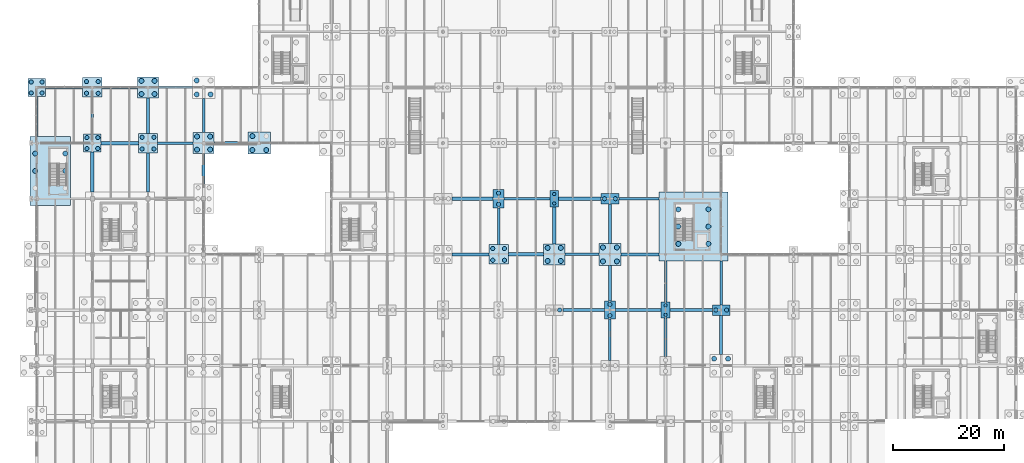
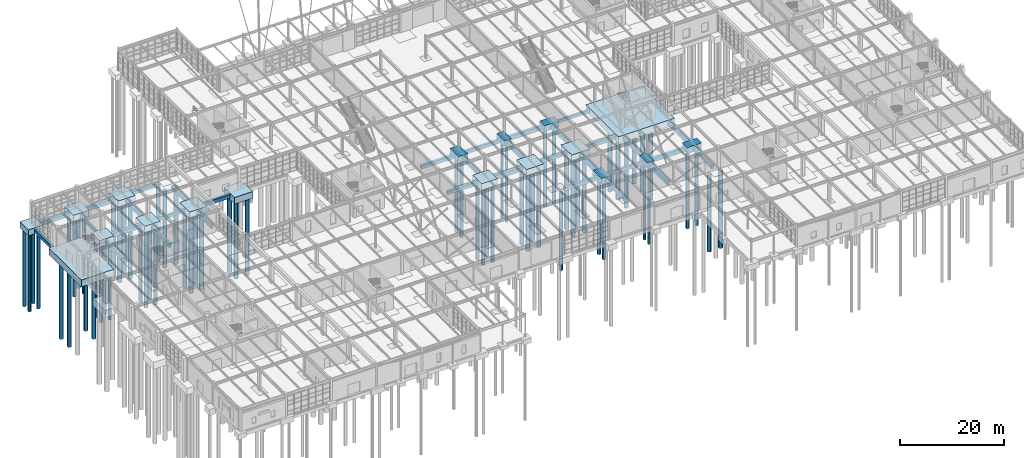
# One storey, part 4 of 145: 67 piles, 51 footings.
"""IFC4 building model written with IfcOpenShell, lengths in metres."""

import ifcopenshell
import ifcopenshell.guid

model = None  # the IFC model being written
_history = None  # IfcOwnerHistory: only IFC2X3 demands one
_inside = {}  # id of a spatial element -> (the spatial element, [elements in it])
_under = {}  # id of a project, library or spatial element -> (it, [spatial elements below it])
_declared = {}  # id of a project -> (the project, [libraries it declares])
_typed = {}  # id of a type object -> (the type object, [elements of that type])
_made_of = {}  # id of a material, layer set ... -> (it, [elements and type objects made of it])


def new_model(schema):
    """Start an empty IFC model of exactly this schema.

    Asked for "IFC4X3", IfcOpenShell would pick the latest addendum, in which some entities
    have other attributes; the version numbers below select the first issue.
    IFC2X3 requires an IfcOwnerHistory on every rooted entity: one is made here for all.
    """
    global model, _history
    if schema == "IFC4X3":
        model = ifcopenshell.file(schema_version=(4, 3, 0, 0))
    else:
        model = ifcopenshell.file(schema=schema)
    _inside.clear()
    _under.clear()
    _declared.clear()
    _typed.clear()
    _made_of.clear()
    _history = None
    if model.schema == "IFC2X3":
        org = make("IfcOrganization", Name="unknown")
        user = make(
            "IfcPersonAndOrganization",
            ThePerson=make("IfcPerson", FamilyName="unknown"),
            TheOrganization=org,
        )
        app = make(
            "IfcApplication",
            ApplicationDeveloper=org,
            Version="unknown",
            ApplicationFullName="unknown",
            ApplicationIdentifier="unknown",
        )
        _history = make(
            "IfcOwnerHistory",
            OwningUser=user,
            OwningApplication=app,
            ChangeAction="ADDED",
            CreationDate=0,
        )
    return model


def make(cls, **values):
    """One entity of the class cls with the attributes given. An attribute that is None is left unset."""
    return model.create_entity(
        cls, **{name: value for name, value in values.items() if value is not None}
    )


def rooted(cls, **values):
    """An entity with a GlobalId (a new one), such as an element, a storey or a relation."""
    return make(cls, GlobalId=ifcopenshell.guid.new(), OwnerHistory=_history, **values)


def si_unit(unit_type, name, prefix=None):
    """IfcSIUnit, for example si_unit("LENGTHUNIT", "METRE", prefix="MILLI")."""
    return make("IfcSIUnit", UnitType=unit_type, Prefix=prefix, Name=name)


def assignment(units):
    """IfcUnitAssignment: the units of a project."""
    return None if units is None else make("IfcUnitAssignment", Units=units)


def point(xyz):
    """IfcCartesianPoint."""
    return None if xyz is None else make("IfcCartesianPoint", Coordinates=xyz)


def direction(xyz):
    """IfcDirection."""
    return None if xyz is None else make("IfcDirection", DirectionRatios=xyz)


def frame(location, z_axis=None, x_axis=None):
    """IfcAxis2Placement3D, a coordinate frame: its origin and axes. An axis left out is left unset."""
    return make(
        "IfcAxis2Placement3D",
        Location=point(location),
        Axis=direction(z_axis),
        RefDirection=direction(x_axis),
    )


def frame_2d(location, x_axis=None):
    """IfcAxis2Placement2D, a coordinate frame in the plane: its origin and x axis."""
    return make(
        "IfcAxis2Placement2D", Location=point(location), RefDirection=direction(x_axis)
    )


def origin():
    """The frame at (0, 0, 0) with its axes left unset."""
    return frame((0.0, 0.0, 0.0))


def origin_2d():
    """The frame at (0, 0) in the plane with its x axis left unset."""
    return frame_2d((0.0, 0.0))


def place(relative_to, where):
    """IfcLocalPlacement: puts the frame where relative to a parent placement (None: the world)."""
    return make(
        "IfcLocalPlacement", PlacementRelTo=relative_to, RelativePlacement=where
    )


def context(
    kind, dimensions, precision=None, world=None, true_north=None, identifier=None
):
    """IfcGeometricRepresentationContext, for example the 3D "Model" context."""
    return make(
        "IfcGeometricRepresentationContext",
        ContextIdentifier=identifier,
        ContextType=kind,
        CoordinateSpaceDimension=dimensions,
        Precision=precision,
        WorldCoordinateSystem=world,
        TrueNorth=true_north,
    )


def subcontext(parent, identifier, kind, view, scale=None):
    """IfcGeometricRepresentationSubContext, for example "Body" below "Model"."""
    return make(
        "IfcGeometricRepresentationSubContext",
        ContextIdentifier=identifier,
        ContextType=kind,
        ParentContext=parent,
        TargetScale=scale,
        TargetView=view,
    )


def project(units=None, contexts=None):
    """IfcProject with its units and contexts."""
    return rooted(
        "IfcProject",
        Name="project",
        RepresentationContexts=contexts,
        UnitsInContext=assignment(units),
    )


def spatial(cls, under=None, at=None, **own):
    """A site, building, storey or space (cls), placed at a placement, below another one or the project."""
    s = rooted(cls, ObjectPlacement=at, **own)
    if under is not None:
        _under.setdefault(under.id(), (under, []))[1].append(s)
    return s


def profile(cls, at=None, kind="AREA", **sizes):
    """A parametric profile (cls). Its sizes go by their IFC names, for example OverallWidth=200.0."""
    return make(cls, ProfileType=kind, Position=at, **sizes)


def rectangle(**sizes):
    """IfcRectangleProfileDef."""
    return profile("IfcRectangleProfileDef", **sizes)


def circle(**sizes):
    """IfcCircleProfileDef."""
    return profile("IfcCircleProfileDef", **sizes)


def extrude(swept, where, along, depth):
    """IfcExtrudedAreaSolid: the profile swept, set in the frame where, extruded along a direction by depth."""
    return make(
        "IfcExtrudedAreaSolid",
        SweptArea=swept,
        Position=where,
        ExtrudedDirection=direction(along),
        Depth=depth,
    )


def shape(context_of_items, identifier, shape_type, items):
    """IfcShapeRepresentation: the items that make up one representation, for example the "Body"."""
    return make(
        "IfcShapeRepresentation",
        ContextOfItems=context_of_items,
        RepresentationIdentifier=identifier,
        RepresentationType=shape_type,
        Items=items,
    )


def material(Name=None, Category=None):
    """IfcMaterial."""
    return make("IfcMaterial", Name=Name, Category=Category)


def material_profile(
    of_material, cross_section, Name=None, Category=None, Priority=None
):
    """IfcMaterialProfile: a cross section and its material."""
    return make(
        "IfcMaterialProfile",
        Name=Name,
        Material=of_material,
        Profile=cross_section,
        Priority=Priority,
        Category=Category,
    )


def profile_set(profiles, Name=None, composite=None):
    """IfcMaterialProfileSet."""
    return make(
        "IfcMaterialProfileSet",
        Name=Name,
        MaterialProfiles=profiles,
        CompositeProfile=composite,
    )


def made_of(thing, what):
    """Note that an element or type object is made of a material, layer set ...; save() writes the relation."""
    if what is not None:
        _made_of.setdefault(what.id(), (what, []))[1].append(thing)
    return thing


def type_object(cls, material=None, **own):
    """A type object (cls), such as IfcWallType, which elements share."""
    return made_of(rooted(cls, **own), material)


def element(
    cls,
    number,
    at=None,
    inside=None,
    cuts=None,
    type_object=None,
    material=None,
    context=None,
    identifier="Body",
    shape_type=None,
    held_by="IfcProductDefinitionShape",
    body=None,
    shapes=None,
    **own,
):
    """One element of the class cls, such as IfcWall. Its Tag is "e" and its number.

    at: its placement. inside: the storey or other place that contains it. cuts: it is an
    opening in that element (IfcRelVoidsElement). A single representation is given by context,
    identifier, shape_type and body (its items); several are given by shapes. held_by: the class
    of the entity that holds the representations. save() writes the other relations.
    """
    e = rooted(cls, Tag="e%d" % number, ObjectPlacement=at, **own)
    if body is not None:
        shapes = [shape(context, identifier, shape_type, body)]
    if shapes is not None:
        e.Representation = make(held_by, Representations=shapes)
    if inside is not None:
        _inside.setdefault(inside.id(), (inside, []))[1].append(e)
    if cuts is not None:
        rooted(
            "IfcRelVoidsElement", RelatingBuildingElement=cuts, RelatedOpeningElement=e
        )
    if type_object is not None:
        _typed.setdefault(type_object.id(), (type_object, []))[1].append(e)
    return made_of(e, material)


def aggregate(whole, parts):
    """IfcRelAggregates: a whole, such as a stair, and the parts it consists of."""
    return rooted("IfcRelAggregates", RelatingObject=whole, RelatedObjects=parts)


def save(model, path):
    """Write the relations noted so far, then the file.

    IfcRelAggregates (storeys below a building ...), IfcRelContainedInSpatialStructure (elements
    in a storey), IfcRelDefinesByType, IfcRelAssociatesMaterial and IfcRelDeclares: one each for
    every whole, place, type object, material and project.
    """
    for whole, parts in _under.values():
        aggregate(whole, parts)
    for where, things in _inside.values():
        rooted(
            "IfcRelContainedInSpatialStructure",
            RelatedElements=things,
            RelatingStructure=where,
        )
    for kind, things in _typed.values():
        rooted("IfcRelDefinesByType", RelatedObjects=things, RelatingType=kind)
    for what, things in _made_of.values():
        rooted("IfcRelAssociatesMaterial", RelatedObjects=things, RelatingMaterial=what)
    for by, libraries in _declared.values():
        rooted("IfcRelDeclares", RelatingContext=by, RelatedDefinitions=libraries)
    model.write(path)


model = new_model("IFC4")

# Units and contexts
model_context = context("Model", 3, precision=1e-05, world=origin(), true_north=direction((0.0, 1.0)))
body_context = subcontext(model_context, "Body", "Model", "MODEL_VIEW")
ifc_project = project(units=[si_unit("LENGTHUNIT", "METRE"), si_unit("AREAUNIT", "SQUARE_METRE"), si_unit("VOLUMEUNIT", "CUBIC_METRE"), si_unit("PLANEANGLEUNIT", "RADIAN"), si_unit("MASSUNIT", "GRAM", prefix="KILO"), si_unit("THERMODYNAMICTEMPERATUREUNIT", "KELVIN"), si_unit("POWERUNIT", "WATT")], contexts=[model_context])

# Site, building, storey
site_placement = place(None, origin())
site = spatial("IfcSite", under=ifc_project, at=site_placement, CompositionType="ELEMENT")
building_placement = place(site_placement, origin())
building = spatial("IfcBuilding", under=site, at=building_placement, Name="Korenveer Ferry Terminal", CompositionType="ELEMENT")
storey_placement = place(building_placement, origin())
storey = spatial("IfcBuildingStorey", under=building, at=storey_placement, Name="L00", CompositionType="ELEMENT", Elevation=0.0)

# Footings
ifc_material_1 = material(Name="Concrete C40/50", Category="concrete")
footing_type_1 = type_object("IfcFootingType", Name="STR-GB-01", PredefinedType="FOOTING_BEAM", material=ifc_material_1)
footing_1_placement = place(storey_placement, frame((108.10009765625, 40.0, -1.14990234375), z_axis=(0.0, 0.0, 1.0), x_axis=(1.0, 0.0, 0.0)))
element("IfcFooting", 1, at=footing_1_placement, inside=storey, type_object=footing_type_1, Name="Ground tie beam 64", PredefinedType="FOOTING_BEAM", context=body_context, shape_type="SweptSolid", body=[
    extrude(rectangle(XDim=8.199951171875, YDim=0.5, at=origin_2d()), origin(), (0.0, 0.0, 1.0), 0.800048828125),
])
footing_2_placement = place(storey_placement, frame((77.925048828125, 50.0, -1.14990234375), z_axis=(0.0, 0.0, 1.0), x_axis=(1.0, 0.0, 0.0)))
element("IfcFooting", 2, at=footing_2_placement, inside=storey, type_object=footing_type_1, Name="Ground tie beam 76", PredefinedType="FOOTING_BEAM", context=body_context, shape_type="SweptSolid", body=[
    extrude(rectangle(XDim=6.64990234375, YDim=0.5, at=origin_2d()), origin(), (0.0, 0.0, 1.0), 0.800048828125),
])
footing_3_placement = place(storey_placement, frame((88.10009765625, 60.0, -1.14990234375), z_axis=(0.0, 0.0, 1.0), x_axis=(1.0, 0.0, 0.0)))
element("IfcFooting", 3, at=footing_3_placement, inside=storey, type_object=footing_type_1, Name="Ground tie beam 88", PredefinedType="FOOTING_BEAM", context=body_context, shape_type="SweptSolid", body=[
    extrude(rectangle(XDim=8.199951171875, YDim=0.5, at=origin_2d()), origin(), (0.0, 0.0, 1.0), 0.800048828125),
])
footing_4_placement = place(storey_placement, frame((4.925048828125, 80.0, -1.14990234375), z_axis=(0.0, 0.0, 1.0), x_axis=(1.0, 0.0, 0.0)))
element("IfcFooting", 4, at=footing_4_placement, inside=storey, type_object=footing_type_1, Name="Ground tie beam 108", PredefinedType="FOOTING_BEAM", context=body_context, shape_type="SweptSolid", body=[
    extrude(rectangle(XDim=6.64990234375, YDim=0.5, at=origin_2d()), origin(), (0.0, 0.0, 1.0), 0.800048828125),
])
footing_5_placement = place(storey_placement, frame((0.0, 74.800048828125, -1.14990234375), z_axis=(0.0, 0.0, 1.0), x_axis=(1.0, 0.0, 0.0)))
element("IfcFooting", 5, at=footing_5_placement, inside=storey, type_object=footing_type_1, Name="Ground tie beam 156", PredefinedType="FOOTING_BEAM", context=body_context, shape_type="SweptSolid", body=[
    extrude(rectangle(XDim=0.5, YDim=7.199951171875, at=origin_2d()), origin(), (0.0, 0.0, 1.0), 0.800048828125),
])
footing_6_placement = place(storey_placement, frame((20.0, 74.925048828125, -1.14990234375), z_axis=(0.0, 0.0, 1.0), x_axis=(1.0, 0.0, 0.0)))
element("IfcFooting", 6, at=footing_6_placement, inside=storey, type_object=footing_type_1, Name="Ground tie beam 168", PredefinedType="FOOTING_BEAM", context=body_context, shape_type="SweptSolid", body=[
    extrude(rectangle(XDim=0.5, YDim=6.35009765625, at=origin_2d()), origin(), (0.0, 0.0, 1.0), 0.800048828125),
])
footing_7_placement = place(storey_placement, frame((30.0, 74.949951171875, -1.14990234375), z_axis=(0.0, 0.0, 1.0), x_axis=(1.0, 0.0, 0.0)))
element("IfcFooting", 7, at=footing_7_placement, inside=storey, type_object=footing_type_1, Name="Ground tie beam 176", PredefinedType="FOOTING_BEAM", context=body_context, shape_type="SweptSolid", body=[
    extrude(rectangle(XDim=0.5, YDim=6.10009765625, at=origin_2d()), origin(), (0.0, 0.0, 1.0), 0.800048828125),
])
footing_8_placement = place(storey_placement, frame((103.0, 55.52490234375, -1.14990234375), z_axis=(0.0, 0.0, 1.0), x_axis=(1.0, 0.0, 0.0)))
element("IfcFooting", 8, at=footing_8_placement, inside=storey, type_object=footing_type_1, Name="Ground tie beam 236", PredefinedType="FOOTING_BEAM", context=body_context, shape_type="SweptSolid", body=[
    extrude(rectangle(XDim=0.5, YDim=7.050048828125, at=origin_2d()), origin(), (0.0, 0.0, 1.0), 0.800048828125),
])
footing_9_placement = place(storey_placement, frame((123.0, 44.875, -1.14990234375), z_axis=(0.0, 0.0, 1.0), x_axis=(1.0, 0.0, 0.0)))
element("IfcFooting", 9, at=footing_9_placement, inside=storey, type_object=footing_type_1, Name="Ground tie beam 256", PredefinedType="FOOTING_BEAM", context=body_context, shape_type="SweptSolid", body=[
    extrude(rectangle(XDim=0.5, YDim=7.85009765625, at=origin_2d()), origin(), (0.0, 0.0, 1.0), 0.800048828125),
])
footing_type_2 = type_object("IfcFootingType", Name="STR-GB-02", PredefinedType="FOOTING_BEAM", material=ifc_material_1)
footing_10_placement = place(storey_placement, frame((117.60009765625, 40.0, -1.2998046875), z_axis=(0.0, 0.0, 1.0), x_axis=(1.0, 0.0, 0.0)))
element("IfcFooting", 10, at=footing_10_placement, inside=storey, type_object=footing_type_2, Name="Ground tie beam 65", PredefinedType="FOOTING_BEAM", context=body_context, shape_type="SweptSolid", body=[
    extrude(rectangle(XDim=7.60009765625, YDim=0.60009765625, at=origin_2d()), origin(), (0.0, 0.0, 1.0), 0.949951171875),
])
footing_11_placement = place(storey_placement, frame((87.925048828125, 50.0, -1.2998046875), z_axis=(0.0, 0.0, 1.0), x_axis=(1.0, 0.0, 0.0)))
element("IfcFooting", 11, at=footing_11_placement, inside=storey, type_object=footing_type_2, Name="Ground tie beam 77", PredefinedType="FOOTING_BEAM", context=body_context, shape_type="SweptSolid", body=[
    extrude(rectangle(XDim=6.35009765625, YDim=0.60009765625, at=origin_2d()), origin(), (0.0, 0.0, 1.0), 0.949951171875),
])
footing_12_placement = place(storey_placement, frame((97.60009765625, 60.0, -1.2998046875), z_axis=(0.0, 0.0, 1.0), x_axis=(1.0, 0.0, 0.0)))
element("IfcFooting", 12, at=footing_12_placement, inside=storey, type_object=footing_type_2, Name="Ground tie beam 89", PredefinedType="FOOTING_BEAM", context=body_context, shape_type="SweptSolid", body=[
    extrude(rectangle(XDim=7.60009765625, YDim=0.60009765625, at=origin_2d()), origin(), (0.0, 0.0, 1.0), 0.949951171875),
])
footing_13_placement = place(storey_placement, frame((14.925048828125, 70.0, -1.2998046875), z_axis=(0.0, 0.0, 1.0), x_axis=(1.0, 0.0, 0.0)))
element("IfcFooting", 13, at=footing_13_placement, inside=storey, type_object=footing_type_2, Name="Ground tie beam 93", PredefinedType="FOOTING_BEAM", context=body_context, shape_type="SweptSolid", body=[
    extrude(rectangle(XDim=6.64990234375, YDim=0.60009765625, at=origin_2d()), origin(), (0.0, 0.0, 1.0), 0.949951171875),
])
footing_14_placement = place(storey_placement, frame((14.925048828125, 80.0, -1.2998046875), z_axis=(0.0, 0.0, 1.0), x_axis=(1.0, 0.0, 0.0)))
element("IfcFooting", 14, at=footing_14_placement, inside=storey, type_object=footing_type_2, Name="Ground tie beam 109", PredefinedType="FOOTING_BEAM", context=body_context, shape_type="SweptSolid", body=[
    extrude(rectangle(XDim=6.35009765625, YDim=0.60009765625, at=origin_2d()), origin(), (0.0, 0.0, 1.0), 0.949951171875),
])
footing_15_placement = place(storey_placement, frame((10.0, 64.800048828125, -1.2998046875), z_axis=(0.0, 0.0, 1.0), x_axis=(1.0, 0.0, 0.0)))
element("IfcFooting", 15, at=footing_15_placement, inside=storey, type_object=footing_type_2, Name="Ground tie beam 161", PredefinedType="FOOTING_BEAM", context=body_context, shape_type="SweptSolid", body=[
    extrude(rectangle(XDim=0.60009765625, YDim=7.199951171875, at=origin_2d()), origin(), (0.0, 0.0, 1.0), 0.949951171875),
])
footing_16_placement = place(storey_placement, frame((113.0, 35.10009765625, -1.2998046875), z_axis=(0.0, 0.0, 1.0), x_axis=(1.0, 0.0, 0.0)))
element("IfcFooting", 16, at=footing_16_placement, inside=storey, type_object=footing_type_2, Name="Ground tie beam 245", PredefinedType="FOOTING_BEAM", context=body_context, shape_type="SweptSolid", body=[
    extrude(rectangle(XDim=0.60009765625, YDim=6.89990234375, at=origin_2d()), origin(), (0.0, 0.0, 1.0), 0.949951171875),
])
footing_type_3 = type_object("IfcFootingType", Name="STR-GB-03", PredefinedType="FOOTING_BEAM", material=ifc_material_1)
footing_17_placement = place(storey_placement, frame((97.949951171875, 50.0, -1.0498046875), z_axis=(0.0, 0.0, 1.0), x_axis=(1.0, 0.0, 0.0)))
element("IfcFooting", 17, at=footing_17_placement, inside=storey, type_object=footing_type_3, Name="Ground tie beam 78", PredefinedType="FOOTING_BEAM", context=body_context, shape_type="SweptSolid", body=[
    extrude(rectangle(XDim=6.10009765625, YDim=0.449951171875, at=origin_2d()), origin(), (0.0, 0.0, 1.0), 0.699951171875),
])
footing_18_placement = place(storey_placement, frame((108.199951171875, 60.0, -1.0498046875), z_axis=(0.0, 0.0, 1.0), x_axis=(1.0, 0.0, 0.0)))
element("IfcFooting", 18, at=footing_18_placement, inside=storey, type_object=footing_type_3, Name="Ground tie beam 90", PredefinedType="FOOTING_BEAM", context=body_context, shape_type="SweptSolid", body=[
    extrude(rectangle(XDim=7.199951171875, YDim=0.449951171875, at=origin_2d()), origin(), (0.0, 0.0, 1.0), 0.699951171875),
])
footing_19_placement = place(storey_placement, frame((24.925048828125, 70.0, -1.0498046875), z_axis=(0.0, 0.0, 1.0), x_axis=(1.0, 0.0, 0.0)))
element("IfcFooting", 19, at=footing_19_placement, inside=storey, type_object=footing_type_3, Name="Ground tie beam 94", PredefinedType="FOOTING_BEAM", context=body_context, shape_type="SweptSolid", body=[
    extrude(rectangle(XDim=6.35009765625, YDim=0.449951171875, at=origin_2d()), origin(), (0.0, 0.0, 1.0), 0.699951171875),
])
footing_20_placement = place(storey_placement, frame((24.949951171875, 80.0, -1.0498046875), z_axis=(0.0, 0.0, 1.0), x_axis=(1.0, 0.0, 0.0)))
element("IfcFooting", 20, at=footing_20_placement, inside=storey, type_object=footing_type_3, Name="Ground tie beam 110", PredefinedType="FOOTING_BEAM", context=body_context, shape_type="SweptSolid", body=[
    extrude(rectangle(XDim=6.10009765625, YDim=0.449951171875, at=origin_2d()), origin(), (0.0, 0.0, 1.0), 0.699951171875),
])
footing_21_placement = place(storey_placement, frame((10.0, 74.925048828125, -1.0498046875), z_axis=(0.0, 0.0, 1.0), x_axis=(1.0, 0.0, 0.0)))
element("IfcFooting", 21, at=footing_21_placement, inside=storey, type_object=footing_type_3, Name="Ground tie beam 162", PredefinedType="FOOTING_BEAM", context=body_context, shape_type="SweptSolid", body=[
    extrude(rectangle(XDim=0.449951171875, YDim=6.64990234375, at=origin_2d()), origin(), (0.0, 0.0, 1.0), 0.699951171875),
])
footing_22_placement = place(storey_placement, frame((83.0, 55.050048828125, -1.0498046875), z_axis=(0.0, 0.0, 1.0), x_axis=(1.0, 0.0, 0.0)))
element("IfcFooting", 22, at=footing_22_placement, inside=storey, type_object=footing_type_3, Name="Ground tie beam 218", PredefinedType="FOOTING_BEAM", context=body_context, shape_type="SweptSolid", body=[
    extrude(rectangle(XDim=0.449951171875, YDim=6.60009765625, at=origin_2d()), origin(), (0.0, 0.0, 1.0), 0.699951171875),
])
footing_23_placement = place(storey_placement, frame((103.0, 34.64990234375, -1.0498046875), z_axis=(0.0, 0.0, 1.0), x_axis=(1.0, 0.0, 0.0)))
element("IfcFooting", 23, at=footing_23_placement, inside=storey, type_object=footing_type_3, Name="Ground tie beam 234", PredefinedType="FOOTING_BEAM", context=body_context, shape_type="SweptSolid", body=[
    extrude(rectangle(XDim=0.449951171875, YDim=7.39990234375, at=origin_2d()), origin(), (0.0, 0.0, 1.0), 0.699951171875),
])
footing_24_placement = place(storey_placement, frame((113.0, 45.125, -1.0498046875), z_axis=(0.0, 0.0, 1.0), x_axis=(1.0, 0.0, 0.0)))
element("IfcFooting", 24, at=footing_24_placement, inside=storey, type_object=footing_type_3, Name="Ground tie beam 246", PredefinedType="FOOTING_BEAM", context=body_context, shape_type="SweptSolid", body=[
    extrude(rectangle(XDim=0.449951171875, YDim=7.35009765625, at=origin_2d()), origin(), (0.0, 0.0, 1.0), 0.699951171875),
])
footing_type_4 = type_object("IfcFootingType", Name="STR-GB-04", PredefinedType="FOOTING_BEAM", material=ifc_material_1)
footing_25_placement = place(storey_placement, frame((98.300048828125, 40.0, -1.199951171875), z_axis=(0.0, 0.0, 1.0), x_axis=(1.0, 0.0, 0.0)))
element("IfcFooting", 25, at=footing_25_placement, inside=storey, type_object=footing_type_4, Name="Ground tie beam 63", PredefinedType="FOOTING_BEAM", context=body_context, shape_type="SweptSolid", body=[
    extrude(rectangle(XDim=7.39990234375, YDim=0.550048828125, at=origin_2d()), origin(), (0.0, 0.0, 1.0), 0.85009765625),
])
footing_26_placement = place(storey_placement, frame((108.39990234375, 50.0, -1.199951171875), z_axis=(0.0, 0.0, 1.0), x_axis=(1.0, 0.0, 0.0)))
element("IfcFooting", 26, at=footing_26_placement, inside=storey, type_object=footing_type_4, Name="Ground tie beam 79", PredefinedType="FOOTING_BEAM", context=body_context, shape_type="SweptSolid", body=[
    extrude(rectangle(XDim=6.800048828125, YDim=0.550048828125, at=origin_2d()), origin(), (0.0, 0.0, 1.0), 0.85009765625),
])
footing_27_placement = place(storey_placement, frame((78.300048828125, 60.0, -1.199951171875), z_axis=(0.0, 0.0, 1.0), x_axis=(1.0, 0.0, 0.0)))
element("IfcFooting", 27, at=footing_27_placement, inside=storey, type_object=footing_type_4, Name="Ground tie beam 87", PredefinedType="FOOTING_BEAM", context=body_context, shape_type="SweptSolid", body=[
    extrude(rectangle(XDim=7.39990234375, YDim=0.550048828125, at=origin_2d()), origin(), (0.0, 0.0, 1.0), 0.85009765625),
])
footing_28_placement = place(storey_placement, frame((34.949951171875, 70.0, -1.199951171875), z_axis=(0.0, 0.0, 1.0), x_axis=(1.0, 0.0, 0.0)))
element("IfcFooting", 28, at=footing_28_placement, inside=storey, type_object=footing_type_4, Name="Ground tie beam 95", PredefinedType="FOOTING_BEAM", context=body_context, shape_type="SweptSolid", body=[
    extrude(rectangle(XDim=6.10009765625, YDim=0.550048828125, at=origin_2d()), origin(), (0.0, 0.0, 1.0), 0.85009765625),
])
footing_29_placement = place(storey_placement, frame((20.0, 64.72509765625, -1.199951171875), z_axis=(0.0, 0.0, 1.0), x_axis=(1.0, 0.0, 0.0)))
element("IfcFooting", 29, at=footing_29_placement, inside=storey, type_object=footing_type_4, Name="Ground tie beam 167", PredefinedType="FOOTING_BEAM", context=body_context, shape_type="SweptSolid", body=[
    extrude(rectangle(XDim=0.550048828125, YDim=7.050048828125, at=origin_2d()), origin(), (0.0, 0.0, 1.0), 0.85009765625),
])
footing_30_placement = place(storey_placement, frame((30.0, 65.375, -1.199951171875), z_axis=(0.0, 0.0, 1.0), x_axis=(1.0, 0.0, 0.0)))
element("IfcFooting", 30, at=footing_30_placement, inside=storey, type_object=footing_type_4, Name="Ground tie beam 175", PredefinedType="FOOTING_BEAM", context=body_context, shape_type="SweptSolid", body=[
    extrude(rectangle(XDim=0.550048828125, YDim=5.449951171875, at=origin_2d()), origin(), (0.0, 0.0, 1.0), 0.85009765625),
])
footing_31_placement = place(storey_placement, frame((93.0, 55.22509765625, -1.199951171875), z_axis=(0.0, 0.0, 1.0), x_axis=(1.0, 0.0, 0.0)))
element("IfcFooting", 31, at=footing_31_placement, inside=storey, type_object=footing_type_4, Name="Ground tie beam 227", PredefinedType="FOOTING_BEAM", context=body_context, shape_type="SweptSolid", body=[
    extrude(rectangle(XDim=0.550048828125, YDim=6.64990234375, at=origin_2d()), origin(), (0.0, 0.0, 1.0), 0.85009765625),
])
footing_32_placement = place(storey_placement, frame((103.0, 44.824951171875, -1.199951171875), z_axis=(0.0, 0.0, 1.0), x_axis=(1.0, 0.0, 0.0)))
element("IfcFooting", 32, at=footing_32_placement, inside=storey, type_object=footing_type_4, Name="Ground tie beam 235", PredefinedType="FOOTING_BEAM", context=body_context, shape_type="SweptSolid", body=[
    extrude(rectangle(XDim=0.550048828125, YDim=6.35009765625, at=origin_2d()), origin(), (0.0, 0.0, 1.0), 0.85009765625),
])
footing_33_placement = place(storey_placement, frame((123.0, 35.52490234375, -1.199951171875), z_axis=(0.0, 0.0, 1.0), x_axis=(1.0, 0.0, 0.0)))
element("IfcFooting", 33, at=footing_33_placement, inside=storey, type_object=footing_type_4, Name="Ground tie beam 255", PredefinedType="FOOTING_BEAM", context=body_context, shape_type="SweptSolid", body=[
    extrude(rectangle(XDim=0.550048828125, YDim=7.050048828125, at=origin_2d()), origin(), (0.0, 0.0, 1.0), 0.85009765625),
])
ifc_material_2 = material(Name="Concrete C45/55", Category="concrete")
footing_type_5 = type_object("IfcFootingType", Name="STR-PC-03", PredefinedType="PILE_CAP", material=ifc_material_2)
for number, where, z_axis, x_axis, name in (
    (34, (93.0, 60.0, -1.2998046875), (0.0, 0.0, 1.0), (1.0, 0.0, 0.0), "Pile cap PC-03 at (93,60)"),
    (35, (113.0, 40.0, -1.2998046875), (0.0, 0.0, 1.0), (1.0, 0.0, 0.0), "Pile cap PC-03 at (113,40)"),
):
    element("IfcFooting", number, at=place(storey_placement, frame(where, z_axis=z_axis, x_axis=x_axis)), inside=storey, type_object=footing_type_5, Name=name, PredefinedType="PILE_CAP", context=body_context, shape_type="SweptSolid", body=[
        extrude(rectangle(XDim=1.60009765625, YDim=2.89990234375, at=origin_2d()), origin(), (0.0, 0.0, 1.0), 1.300048828125),
    ])
footing_type_6 = type_object("IfcFootingType", Name="STR-PC-04", PredefinedType="PILE_CAP", material=ifc_material_2)
for number, where, z_axis, x_axis, name in (
    (36, (103.0, 60.0, -1.39990234375), (0.0, 0.0, 1.0), (1.0, 0.0, 0.0), "Pile cap PC-04 at (103,60)"),
    (37, (123.0, 40.0, -1.39990234375), (0.0, 0.0, 1.0), (1.0, 0.0, 0.0), "Pile cap PC-04 at (123,40)"),
):
    element("IfcFooting", number, at=place(storey_placement, frame(where, z_axis=z_axis, x_axis=x_axis)), inside=storey, type_object=footing_type_6, Name=name, PredefinedType="PILE_CAP", context=body_context, shape_type="SweptSolid", body=[
        extrude(rectangle(XDim=3.199951171875, YDim=1.89990234375, at=origin_2d()), origin(), (0.0, 0.0, 1.0), 1.39990234375),
    ])
footing_type_7 = type_object("IfcFootingType", Name="STR-PC-05", PredefinedType="PILE_CAP", material=ifc_material_2)
for number, where, z_axis, x_axis, name in (
    (38, (83.0, 60.0, -1.39990234375), (0.0, 0.0, 1.0), (1.0, 0.0, 0.0), "Pile cap PC-05 at (83,60)"),
    (39, (103.0, 40.0, -1.39990234375), (0.0, 0.0, 1.0), (1.0, 0.0, 0.0), "Pile cap PC-05 at (103,40)"),
):
    element("IfcFooting", number, at=place(storey_placement, frame(where, z_axis=z_axis, x_axis=x_axis)), inside=storey, type_object=footing_type_7, Name=name, PredefinedType="PILE_CAP", context=body_context, shape_type="SweptSolid", body=[
        extrude(rectangle(XDim=2.0, YDim=3.300048828125, at=origin_2d()), origin(), (0.0, 0.0, 1.0), 1.39990234375),
    ])
footing_type_8 = type_object("IfcFootingType", Name="STR-PC-06", PredefinedType="PILE_CAP", material=ifc_material_2)
for number, where, z_axis, x_axis, name in (
    (40, (0.0, 80.0, -1.39990234375), (0.0, 0.0, 1.0), (1.0, 0.0, 0.0), "Pile cap PC-06 at (0,80)"),
    (41, (10.0, 70.0, -1.39990234375), (0.0, 0.0, 1.0), (1.0, 0.0, 0.0), "Pile cap PC-06 at (10,70)"),
):
    element("IfcFooting", number, at=place(storey_placement, frame(where, z_axis=z_axis, x_axis=x_axis)), inside=storey, type_object=footing_type_8, Name=name, PredefinedType="PILE_CAP", context=body_context, shape_type="SweptSolid", body=[
        extrude(rectangle(XDim=3.199951171875, YDim=3.199951171875, at=origin_2d()), origin(), (0.0, 0.0, 1.0), 1.39990234375),
    ])
footing_type_9 = type_object("IfcFootingType", Name="STR-PC-07", PredefinedType="PILE_CAP", material=ifc_material_2)
for number, where, z_axis, x_axis, name in (
    (42, (10.0, 80.0, -1.4501953125), (0.0, 0.0, 1.0), (1.0, 0.0, 0.0), "Pile cap PC-07 at (10,80)"),
    (43, (20.0, 70.0, -1.4501953125), (0.0, 0.0, 1.0), (1.0, 0.0, 0.0), "Pile cap PC-07 at (20,70)"),
    (44, (83.0, 50.0, -1.4501953125), (0.0, 0.0, 1.0), (1.0, 0.0, 0.0), "Pile cap PC-07 at (83,50)"),
):
    element("IfcFooting", number, at=place(storey_placement, frame(where, z_axis=z_axis, x_axis=x_axis)), inside=storey, type_object=footing_type_9, Name=name, PredefinedType="PILE_CAP", context=body_context, shape_type="SweptSolid", body=[
        extrude(rectangle(XDim=3.5, YDim=3.5, at=origin_2d()), origin(), (0.0, 0.0, 1.0), 1.449951171875),
    ])
footing_type_10 = type_object("IfcFootingType", Name="STR-PC-08", PredefinedType="PILE_CAP", material=ifc_material_2)
for number, where, z_axis, x_axis, name in (
    (45, (20.0, 80.0, -1.5), (0.0, 0.0, 1.0), (1.0, 0.0, 0.0), "Pile cap PC-08 at (20,80)"),
    (46, (30.0, 70.0, -1.5), (0.0, 0.0, 1.0), (1.0, 0.0, 0.0), "Pile cap PC-08 at (30,70)"),
    (47, (93.0, 50.0, -1.5), (0.0, 0.0, 1.0), (1.0, 0.0, 0.0), "Pile cap PC-08 at (93,50)"),
):
    element("IfcFooting", number, at=place(storey_placement, frame(where, z_axis=z_axis, x_axis=x_axis)), inside=storey, type_object=footing_type_10, Name=name, PredefinedType="PILE_CAP", context=body_context, shape_type="SweptSolid", body=[
        extrude(rectangle(XDim=3.800048828125, YDim=3.800048828125, at=origin_2d()), origin(), (0.0, 0.0, 1.0), 1.5),
    ])
footing_type_11 = type_object("IfcFootingType", Name="STR-PC-09", PredefinedType="PILE_CAP", material=ifc_material_2)
for number, where, z_axis, x_axis, name in (
    (48, (40.0, 70.0, -1.5498046875), (0.0, 0.0, 1.0), (1.0, 0.0, 0.0), "Pile cap PC-09 at (40,70)"),
    (49, (103.0, 50.0, -1.5498046875), (0.0, 0.0, 1.0), (1.0, 0.0, 0.0), "Pile cap PC-09 at (103,50)"),
):
    element("IfcFooting", number, at=place(storey_placement, frame(where, z_axis=z_axis, x_axis=x_axis)), inside=storey, type_object=footing_type_11, Name=name, PredefinedType="PILE_CAP", context=body_context, shape_type="SweptSolid", body=[
        extrude(rectangle(XDim=4.0, YDim=4.0, at=origin_2d()), origin(), (0.0, 0.0, 1.0), 1.550048828125),
    ])
footing_type_12 = type_object("IfcFootingType", Name="STR-PC-MAT-K11", PredefinedType="PILE_CAP", material=ifc_material_2)
footing_34_placement = place(storey_placement, frame((2.429931640625, 65.0, -1.60009765625), z_axis=(0.0, 0.0, 1.0), x_axis=(1.0, 0.0, 0.0)))
element("IfcFooting", 50, at=footing_34_placement, inside=storey, type_object=footing_type_12, Name="Core pile cap mat K11", PredefinedType="PILE_CAP", context=body_context, shape_type="SweptSolid", body=[
    extrude(rectangle(XDim=7.260009765625, YDim=12.39990234375, at=origin_2d()), origin(), (0.0, 0.0, 1.0), 1.60009765625),
])
footing_type_13 = type_object("IfcFootingType", Name="STR-PC-MAT-K6", PredefinedType="PILE_CAP", material=ifc_material_2)
footing_35_placement = place(storey_placement, frame((118.0, 55.0, -1.60009765625), z_axis=(0.0, 0.0, 1.0), x_axis=(1.0, 0.0, 0.0)))
element("IfcFooting", 51, at=footing_35_placement, inside=storey, type_object=footing_type_13, Name="Core pile cap mat K6", PredefinedType="PILE_CAP", context=body_context, shape_type="SweptSolid", body=[
    extrude(rectangle(XDim=12.39990234375, YDim=12.39990234375, at=origin_2d()), origin(), (0.0, 0.0, 1.0), 1.60009765625),
])

# Piles
ifc_material_profile_1 = material_profile(ifc_material_1, circle(Radius=0.300048828125, at=origin_2d()), Name="PILE D600")
ifc_profile_set_1 = profile_set([ifc_material_profile_1], Name="Concrete C40/50")
pile_type_1 = type_object("IfcPileType", Name="STR-PL-D600", PredefinedType="DRIVEN", material=ifc_profile_set_1)
for number, where, z_axis, x_axis, name in (
    (52, (93.0, 59.14990234375, -1.199951171875), (0.0, 0.0, -1.0), (1.0, 0.0, 0.0), "Foundation pile 313"),
    (53, (93.0, 60.85009765625, -1.199951171875), (0.0, 0.0, -1.0), (1.0, 0.0, 0.0), "Foundation pile 314"),
    (54, (113.0, 39.14990234375, -1.199951171875), (0.0, 0.0, -1.0), (1.0, 0.0, 0.0), "Foundation pile 358"),
    (55, (113.0, 40.85009765625, -1.199951171875), (0.0, 0.0, -1.0), (1.0, 0.0, 0.0), "Foundation pile 359"),
):
    element("IfcPile", number, at=place(storey_placement, frame(where, z_axis=z_axis, x_axis=x_axis)), inside=storey, type_object=pile_type_1, Name=name, PredefinedType="DRIVEN", context=body_context, shape_type="SweptSolid", body=[
        extrude(circle(Radius=0.300048828125, at=origin_2d()), origin(), (0.0, 0.0, 1.0), 18.300048828125),
    ])
ifc_material_profile_2 = material_profile(ifc_material_1, circle(Radius=0.375, at=origin_2d()), Name="PILE D750")
ifc_profile_set_2 = profile_set([ifc_material_profile_2], Name="Concrete C40/50")
pile_type_2 = type_object("IfcPileType", Name="STR-PL-D750", PredefinedType="BORED", material=ifc_profile_set_2)
for number, where, z_axis, x_axis, name in (
    (56, (-0.97998046875, 79.02001953125, -1.300048828125), (0.0, 0.0, -1.0), (1.0, 0.0, 0.0), "Foundation pile 98"),
    (57, (0.97998046875, 79.02001953125, -1.300048828125), (0.0, 0.0, -1.0), (1.0, 0.0, 0.0), "Foundation pile 99"),
    (58, (-0.97998046875, 80.97998046875, -1.300048828125), (0.0, 0.0, -1.0), (1.0, 0.0, 0.0), "Foundation pile 100"),
    (59, (0.97998046875, 80.97998046875, -1.300048828125), (0.0, 0.0, -1.0), (1.0, 0.0, 0.0), "Foundation pile 101"),
    (60, (9.02001953125, 69.02001953125, -1.300048828125), (0.0, 0.0, -1.0), (1.0, 0.0, 0.0), "Foundation pile 110"),
    (61, (10.97998046875, 69.02001953125, -1.300048828125), (0.0, 0.0, -1.0), (1.0, 0.0, 0.0), "Foundation pile 111"),
    (62, (9.02001953125, 70.97998046875, -1.300048828125), (0.0, 0.0, -1.0), (1.0, 0.0, 0.0), "Foundation pile 112"),
    (63, (10.97998046875, 70.97998046875, -1.300048828125), (0.0, 0.0, -1.0), (1.0, 0.0, 0.0), "Foundation pile 113"),
):
    element("IfcPile", number, at=place(storey_placement, frame(where, z_axis=z_axis, x_axis=x_axis)), inside=storey, type_object=pile_type_2, Name=name, PredefinedType="BORED", context=body_context, shape_type="SweptSolid", body=[
        extrude(circle(Radius=0.375, at=origin_2d()), origin(), (0.0, 0.0, 1.0), 18.199951171875),
    ])
for number, where, z_axis, x_axis, name in (
    (64, (8.949951171875, 78.949951171875, -1.35009765625), (0.0, 0.0, -1.0), (1.0, 0.0, 0.0), "Foundation pile 114"),
    (65, (11.050048828125, 78.949951171875, -1.35009765625), (0.0, 0.0, -1.0), (1.0, 0.0, 0.0), "Foundation pile 115"),
    (66, (8.949951171875, 81.050048828125, -1.35009765625), (0.0, 0.0, -1.0), (1.0, 0.0, 0.0), "Foundation pile 116"),
    (67, (11.050048828125, 81.050048828125, -1.35009765625), (0.0, 0.0, -1.0), (1.0, 0.0, 0.0), "Foundation pile 117"),
    (68, (18.949951171875, 68.949951171875, -1.35009765625), (0.0, 0.0, -1.0), (1.0, 0.0, 0.0), "Foundation pile 127"),
    (69, (21.050048828125, 68.949951171875, -1.35009765625), (0.0, 0.0, -1.0), (1.0, 0.0, 0.0), "Foundation pile 128"),
    (70, (18.949951171875, 71.050048828125, -1.35009765625), (0.0, 0.0, -1.0), (1.0, 0.0, 0.0), "Foundation pile 129"),
    (71, (21.050048828125, 71.050048828125, -1.35009765625), (0.0, 0.0, -1.0), (1.0, 0.0, 0.0), "Foundation pile 130"),
    (72, (81.949951171875, 48.949951171875, -1.35009765625), (0.0, 0.0, -1.0), (1.0, 0.0, 0.0), "Foundation pile 284"),
    (73, (84.050048828125, 48.949951171875, -1.35009765625), (0.0, 0.0, -1.0), (1.0, 0.0, 0.0), "Foundation pile 285"),
    (74, (81.949951171875, 51.050048828125, -1.35009765625), (0.0, 0.0, -1.0), (1.0, 0.0, 0.0), "Foundation pile 286"),
    (75, (84.050048828125, 51.050048828125, -1.35009765625), (0.0, 0.0, -1.0), (1.0, 0.0, 0.0), "Foundation pile 287"),
):
    element("IfcPile", number, at=place(storey_placement, frame(where, z_axis=z_axis, x_axis=x_axis)), inside=storey, type_object=pile_type_2, Name=name, PredefinedType="BORED", context=body_context, shape_type="SweptSolid", body=[
        extrude(circle(Radius=0.375, at=origin_2d()), origin(), (0.0, 0.0, 1.0), 18.14990234375),
    ])
for number, where, z_axis, x_axis, name in (
    (76, (83.0, 59.0, -1.300048828125), (0.0, 0.0, -1.0), (1.0, 0.0, 0.0), "Foundation pile 288"),
    (77, (83.0, 61.0, -1.300048828125), (0.0, 0.0, -1.0), (1.0, 0.0, 0.0), "Foundation pile 289"),
    (78, (93.97998046875, 40.0, -1.300048828125), (0.0, 0.0, -1.0), (1.0, 0.0, 0.0), "Foundation pile 308"),
    (79, (103.0, 39.0, -1.300048828125), (0.0, 0.0, -1.0), (1.0, 0.0, 0.0), "Foundation pile 330"),
    (80, (103.0, 41.0, -1.300048828125), (0.0, 0.0, -1.0), (1.0, 0.0, 0.0), "Foundation pile 331"),
    (81, (102.02001953125, 60.0, -1.300048828125), (0.0, 0.0, -1.0), (1.0, 0.0, 0.0), "Foundation pile 336"),
    (82, (103.97998046875, 60.0, -1.300048828125), (0.0, 0.0, -1.0), (1.0, 0.0, 0.0), "Foundation pile 337"),
    (83, (122.02001953125, 40.0, -1.300048828125), (0.0, 0.0, -1.0), (1.0, 0.0, 0.0), "Foundation pile 382"),
    (84, (123.97998046875, 40.0, -1.300048828125), (0.0, 0.0, -1.0), (1.0, 0.0, 0.0), "Foundation pile 383"),
):
    element("IfcPile", number, at=place(storey_placement, frame(where, z_axis=z_axis, x_axis=x_axis)), inside=storey, type_object=pile_type_2, Name=name, PredefinedType="BORED", context=body_context, shape_type="SweptSolid", body=[
        extrude(circle(Radius=0.375, at=origin_2d()), origin(), (0.0, 0.0, 1.0), 18.199951171875),
    ])
ifc_material_profile_3 = material_profile(ifc_material_1, circle(Radius=0.449951171875, at=origin_2d()), Name="PILE D900")
ifc_profile_set_3 = profile_set([ifc_material_profile_3], Name="Concrete C40/50")
pile_type_3 = type_object("IfcPileType", Name="STR-PL-D900", PredefinedType="BORED", material=ifc_profile_set_3)
for number, where, z_axis, x_axis, name in (
    (85, (115.300048828125, 51.89990234375, -1.5), (0.0, 0.0, -1.0), (1.0, 0.0, 0.0), "Core foundation pile 31"),
    (86, (120.699951171875, 51.89990234375, -1.5), (0.0, 0.0, -1.0), (1.0, 0.0, 0.0), "Core foundation pile 32"),
    (87, (115.300048828125, 55.0, -1.5), (0.0, 0.0, -1.0), (1.0, 0.0, 0.0), "Core foundation pile 33"),
    (88, (120.699951171875, 55.0, -1.5), (0.0, 0.0, -1.0), (1.0, 0.0, 0.0), "Core foundation pile 34"),
    (89, (115.300048828125, 58.10009765625, -1.5), (0.0, 0.0, -1.0), (1.0, 0.0, 0.0), "Core foundation pile 35"),
    (90, (120.699951171875, 58.10009765625, -1.5), (0.0, 0.0, -1.0), (1.0, 0.0, 0.0), "Core foundation pile 36"),
    (91, (-0.27001953125, 65.0, -1.5), (0.0, 0.0, -1.0), (1.0, 0.0, 0.0), "Core foundation pile 63"),
    (92, (5.1298828125, 65.0, -1.5), (0.0, 0.0, -1.0), (1.0, 0.0, 0.0), "Core foundation pile 64"),
    (93, (-0.27001953125, 68.10009765625, -1.5), (0.0, 0.0, -1.0), (1.0, 0.0, 0.0), "Core foundation pile 65"),
    (94, (5.1298828125, 68.10009765625, -1.5), (0.0, 0.0, -1.0), (1.0, 0.0, 0.0), "Core foundation pile 66"),
):
    element("IfcPile", number, at=place(storey_placement, frame(where, z_axis=z_axis, x_axis=x_axis)), inside=storey, type_object=pile_type_3, Name=name, PredefinedType="BORED", context=body_context, shape_type="SweptSolid", body=[
        extrude(circle(Radius=0.449951171875, at=origin_2d()), origin(), (0.0, 0.0, 1.0), 18.0),
    ])
for number, where, z_axis, x_axis, name in (
    (95, (18.820068359375, 78.820068359375, -1.39990234375), (0.0, 0.0, -1.0), (1.0, 0.0, 0.0), "Foundation pile 131"),
    (96, (21.179931640625, 78.820068359375, -1.39990234375), (0.0, 0.0, -1.0), (1.0, 0.0, 0.0), "Foundation pile 132"),
    (97, (18.820068359375, 81.179931640625, -1.39990234375), (0.0, 0.0, -1.0), (1.0, 0.0, 0.0), "Foundation pile 133"),
    (98, (21.179931640625, 81.179931640625, -1.39990234375), (0.0, 0.0, -1.0), (1.0, 0.0, 0.0), "Foundation pile 134"),
    (99, (28.820068359375, 68.820068359375, -1.39990234375), (0.0, 0.0, -1.0), (1.0, 0.0, 0.0), "Foundation pile 165"),
    (100, (31.179931640625, 68.820068359375, -1.39990234375), (0.0, 0.0, -1.0), (1.0, 0.0, 0.0), "Foundation pile 166"),
    (101, (28.820068359375, 71.179931640625, -1.39990234375), (0.0, 0.0, -1.0), (1.0, 0.0, 0.0), "Foundation pile 167"),
    (102, (31.179931640625, 71.179931640625, -1.39990234375), (0.0, 0.0, -1.0), (1.0, 0.0, 0.0), "Foundation pile 168"),
):
    element("IfcPile", number, at=place(storey_placement, frame(where, z_axis=z_axis, x_axis=x_axis)), inside=storey, type_object=pile_type_3, Name=name, PredefinedType="BORED", context=body_context, shape_type="SweptSolid", body=[
        extrude(circle(Radius=0.449951171875, at=origin_2d()), origin(), (0.0, 0.0, 1.0), 18.10009765625),
    ])
for number, where, z_axis, x_axis, name in (
    (103, (28.75, 78.75, -1.449951171875), (0.0, 0.0, -1.0), (1.0, 0.0, 0.0), "Foundation pile 169"),
    (104, (31.25, 78.75, -1.449951171875), (0.0, 0.0, -1.0), (1.0, 0.0, 0.0), "Foundation pile 170"),
    (105, (28.75, 81.25, -1.449951171875), (0.0, 0.0, -1.0), (1.0, 0.0, 0.0), "Foundation pile 171"),
    (106, (38.75, 68.75, -1.449951171875), (0.0, 0.0, -1.0), (1.0, 0.0, 0.0), "Foundation pile 180"),
    (107, (41.25, 68.75, -1.449951171875), (0.0, 0.0, -1.0), (1.0, 0.0, 0.0), "Foundation pile 181"),
    (108, (38.75, 71.25, -1.449951171875), (0.0, 0.0, -1.0), (1.0, 0.0, 0.0), "Foundation pile 182"),
):
    element("IfcPile", number, at=place(storey_placement, frame(where, z_axis=z_axis, x_axis=x_axis)), inside=storey, type_object=pile_type_3, Name=name, PredefinedType="BORED", context=body_context, shape_type="SweptSolid", body=[
        extrude(circle(Radius=0.449951171875, at=origin_2d()), origin(), (0.0, 0.0, 1.0), 18.050048828125),
    ])
for number, where, z_axis, x_axis, name in (
    (109, (91.820068359375, 48.820068359375, -1.39990234375), (0.0, 0.0, -1.0), (1.0, 0.0, 0.0), "Foundation pile 309"),
    (110, (94.179931640625, 48.820068359375, -1.39990234375), (0.0, 0.0, -1.0), (1.0, 0.0, 0.0), "Foundation pile 310"),
    (111, (91.820068359375, 51.179931640625, -1.39990234375), (0.0, 0.0, -1.0), (1.0, 0.0, 0.0), "Foundation pile 311"),
    (112, (94.179931640625, 51.179931640625, -1.39990234375), (0.0, 0.0, -1.0), (1.0, 0.0, 0.0), "Foundation pile 312"),
):
    element("IfcPile", number, at=place(storey_placement, frame(where, z_axis=z_axis, x_axis=x_axis)), inside=storey, type_object=pile_type_3, Name=name, PredefinedType="BORED", context=body_context, shape_type="SweptSolid", body=[
        extrude(circle(Radius=0.449951171875, at=origin_2d()), origin(), (0.0, 0.0, 1.0), 18.10009765625),
    ])
for number, where, z_axis, x_axis, name in (
    (113, (101.75, 48.75, -1.449951171875), (0.0, 0.0, -1.0), (1.0, 0.0, 0.0), "Foundation pile 332"),
    (114, (104.25, 48.75, -1.449951171875), (0.0, 0.0, -1.0), (1.0, 0.0, 0.0), "Foundation pile 333"),
    (115, (101.75, 51.25, -1.449951171875), (0.0, 0.0, -1.0), (1.0, 0.0, 0.0), "Foundation pile 334"),
    (116, (104.25, 51.25, -1.449951171875), (0.0, 0.0, -1.0), (1.0, 0.0, 0.0), "Foundation pile 335"),
    (117, (121.75, 31.25, -1.449951171875), (0.0, 0.0, -1.0), (1.0, 0.0, 0.0), "Foundation pile 380"),
    (118, (124.25, 31.25, -1.449951171875), (0.0, 0.0, -1.0), (1.0, 0.0, 0.0), "Foundation pile 381"),
):
    element("IfcPile", number, at=place(storey_placement, frame(where, z_axis=z_axis, x_axis=x_axis)), inside=storey, type_object=pile_type_3, Name=name, PredefinedType="BORED", context=body_context, shape_type="SweptSolid", body=[
        extrude(circle(Radius=0.449951171875, at=origin_2d()), origin(), (0.0, 0.0, 1.0), 18.050048828125),
    ])

save(model, "model.ifc")
